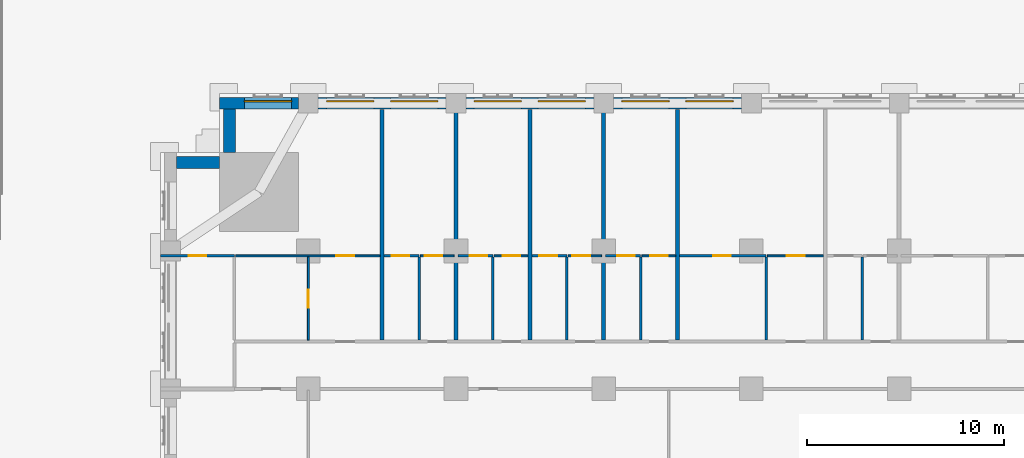
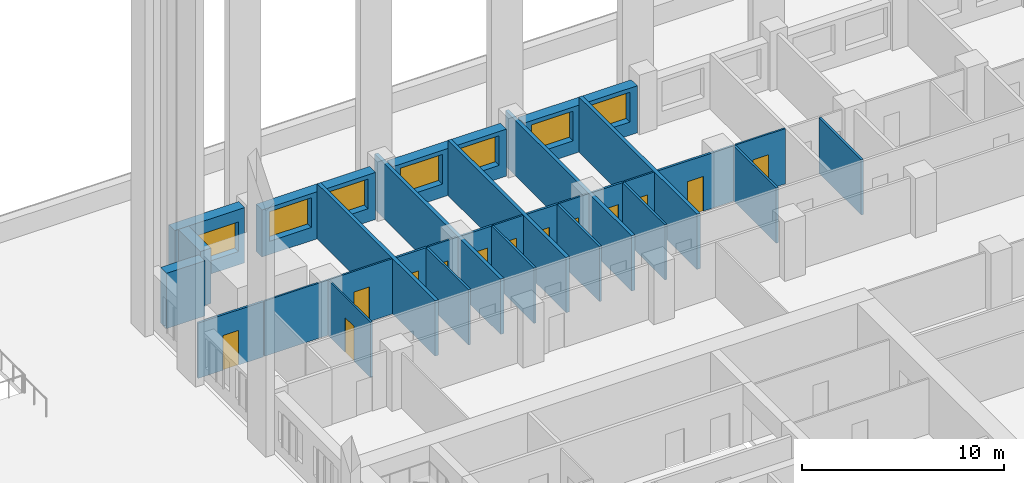
# One storey, part 19 of 27: 30 walls, 13 doors, 7 windows, 20 openings.
"""IFC4 building model written with IfcOpenShell, lengths in metres."""

from ifc_helpers import new_model, si_unit, direction, frame, frame_2d, origin, place, context, subcontext, project, spatial, rectangle, extrude, material, layer, layer_set, type_object, element, fill, save


model = new_model("IFC4")

# Units and contexts
model_context = context("Model", 3, precision=1e-05, world=origin(), true_north=direction((0.0, 1.0)))
body_context = subcontext(model_context, "Body", "Model", "MODEL_VIEW")
ifc_project = project(units=[si_unit("LENGTHUNIT", "METRE"), si_unit("AREAUNIT", "SQUARE_METRE"), si_unit("VOLUMEUNIT", "CUBIC_METRE"), si_unit("PLANEANGLEUNIT", "RADIAN"), si_unit("MASSUNIT", "GRAM", prefix="KILO")], contexts=[model_context])

# Site, building, storey
site_placement = place(None, origin())
site = spatial("IfcSite", under=ifc_project, at=site_placement, CompositionType="ELEMENT")
building_placement = place(site_placement, origin())
building = spatial("IfcBuilding", under=site, at=building_placement, Name="Tamorin Gate", CompositionType="ELEMENT")
storey_placement = place(building_placement, frame((0.0, 0.0, 34.0)))
storey = spatial("IfcBuildingStorey", under=building, at=storey_placement, Name="L06", CompositionType="ELEMENT", Elevation=34.0)

# Wall, openings, windows
ifc_material_1 = material(Name="Precast concrete C40/50", Category="concrete")
ifc_layer_1 = layer(ifc_material_1, 0.60009765625)
ifc_layer_set_1 = layer_set([ifc_layer_1], Name="Precast concrete C40/50")
wall_type_1 = type_object("IfcWallType", Name="Board-marked concrete facade panel 600", PredefinedType="SOLIDWALL", material=ifc_layer_set_1)
wall_1_placement = place(storey_placement, frame((59.5, 104.5, 0.0), z_axis=(0.0, 0.0, 1.0), x_axis=(-1.0, 0.0, 0.0)))
wall_1 = element("IfcWall", 1, at=wall_1_placement, inside=storey, type_object=wall_type_1, Name="Facade panel", PredefinedType="SOLIDWALL", context=body_context, shape_type="SweptSolid", body=[
    extrude(rectangle(XDim=6.5, YDim=0.60009765625, at=frame_2d((3.25, 0.0))), origin(), (0.0, 0.0, 1.0), 2.85009765625),
])
opening_1_placement = place(wall_1_placement, frame((3.675048828125, 0.0, 0.800048828125)))
opening_1 = element("IfcOpeningElement", 2, at=opening_1_placement, cuts=wall_1, Name="Opening WN1", PredefinedType="OPENING", context=body_context, shape_type="SweptSolid", body=[
    extrude(rectangle(XDim=2.39990234375, YDim=1.800048828125, at=frame_2d((1.199951171875, 0.89990234375))), frame((0.0, 0.31005859375, 0.0), z_axis=(0.0, -1.0, 0.0), x_axis=(1.0, 0.0, 0.0)), (0.0, 0.0, 1.0), 0.6201171875),
])
opening_2_placement = place(wall_1_placement, frame((0.425048828125, 0.0, 0.800048828125)))
opening_2 = element("IfcOpeningElement", 3, at=opening_2_placement, cuts=wall_1, Name="Opening WN1", PredefinedType="OPENING", context=body_context, shape_type="SweptSolid", body=[
    extrude(rectangle(XDim=2.39990234375, YDim=1.800048828125, at=frame_2d((1.199951171875, 0.89990234375))), frame((0.0, 0.31005859375, 0.0), z_axis=(0.0, -1.0, 0.0), x_axis=(1.0, 0.0, 0.0)), (0.0, 0.0, 1.0), 0.6201171875),
])
ifc_material_2 = material(Name="Clear glass in aluminium frame", Category="aluminium")
window_type = type_object("IfcWindowType", Name="Deep-set window 2400x1800", PartitioningType="SINGLE_PANEL", PredefinedType="WINDOW", material=ifc_material_2)
window_1_placement = place(opening_1_placement, origin())
window_1 = element("IfcWindow", 4, at=window_1_placement, inside=storey, type_object=window_type, Name="Deep-set window", OverallHeight=1.800048828125, OverallWidth=2.39990234375, PartitioningType="SINGLE_PANEL", PredefinedType="WINDOW", context=body_context, shape_type="SweptSolid", body=[
    extrude(rectangle(XDim=2.39990234375, YDim=1.800048828125, at=frame_2d((1.199951171875, 0.89990234375))), frame((0.0, -0.070068359375, 0.0), z_axis=(0.0, -1.0, 0.0), x_axis=(1.0, 0.0, 0.0)), (0.0, 0.0, 1.0), 0.06005859375),
])
fill(opening_1, window_1)
window_2_placement = place(opening_2_placement, origin())
window_2 = element("IfcWindow", 5, at=window_2_placement, inside=storey, type_object=window_type, Name="Deep-set window", OverallHeight=1.800048828125, OverallWidth=2.39990234375, PartitioningType="SINGLE_PANEL", PredefinedType="WINDOW", context=body_context, shape_type="SweptSolid", body=[
    extrude(rectangle(XDim=2.39990234375, YDim=1.800048828125, at=frame_2d((1.199951171875, 0.89990234375))), frame((0.0, -0.070068359375, 0.0), z_axis=(0.0, -1.0, 0.0), x_axis=(1.0, 0.0, 0.0)), (0.0, 0.0, 1.0), 0.06005859375),
])
fill(opening_2, window_2)

wall_2_placement = place(storey_placement, frame((52.0, 104.5, 0.0), z_axis=(0.0, 0.0, 1.0), x_axis=(-1.0, 0.0, 0.0)))
wall_2 = element("IfcWall", 6, at=wall_2_placement, inside=storey, type_object=wall_type_1, Name="Facade panel", PredefinedType="SOLIDWALL", context=body_context, shape_type="SweptSolid", body=[
    extrude(rectangle(XDim=6.5, YDim=0.60009765625, at=frame_2d((3.25, 0.0))), origin(), (0.0, 0.0, 1.0), 2.85009765625),
])
opening_3_placement = place(wall_2_placement, frame((3.675048828125, 0.0, 0.800048828125)))
opening_3 = element("IfcOpeningElement", 7, at=opening_3_placement, cuts=wall_2, Name="Opening WN1", PredefinedType="OPENING", context=body_context, shape_type="SweptSolid", body=[
    extrude(rectangle(XDim=2.39990234375, YDim=1.800048828125, at=frame_2d((1.199951171875, 0.89990234375))), frame((0.0, 0.31005859375, 0.0), z_axis=(0.0, -1.0, 0.0), x_axis=(1.0, 0.0, 0.0)), (0.0, 0.0, 1.0), 0.6201171875),
])
opening_4_placement = place(wall_2_placement, frame((0.425048828125, 0.0, 0.800048828125)))
opening_4 = element("IfcOpeningElement", 8, at=opening_4_placement, cuts=wall_2, Name="Opening WN1", PredefinedType="OPENING", context=body_context, shape_type="SweptSolid", body=[
    extrude(rectangle(XDim=2.39990234375, YDim=1.800048828125, at=frame_2d((1.199951171875, 0.89990234375))), frame((0.0, 0.31005859375, 0.0), z_axis=(0.0, -1.0, 0.0), x_axis=(1.0, 0.0, 0.0)), (0.0, 0.0, 1.0), 0.6201171875),
])
window_3_placement = place(opening_3_placement, origin())
window_3 = element("IfcWindow", 9, at=window_3_placement, inside=storey, type_object=window_type, Name="Deep-set window", OverallHeight=1.800048828125, OverallWidth=2.39990234375, PartitioningType="SINGLE_PANEL", PredefinedType="WINDOW", context=body_context, shape_type="SweptSolid", body=[
    extrude(rectangle(XDim=2.39990234375, YDim=1.800048828125, at=frame_2d((1.199951171875, 0.89990234375))), frame((0.0, -0.070068359375, 0.0), z_axis=(0.0, -1.0, 0.0), x_axis=(1.0, 0.0, 0.0)), (0.0, 0.0, 1.0), 0.06005859375),
])
fill(opening_3, window_3)
window_4_placement = place(opening_4_placement, origin())
window_4 = element("IfcWindow", 10, at=window_4_placement, inside=storey, type_object=window_type, Name="Deep-set window", OverallHeight=1.800048828125, OverallWidth=2.39990234375, PartitioningType="SINGLE_PANEL", PredefinedType="WINDOW", context=body_context, shape_type="SweptSolid", body=[
    extrude(rectangle(XDim=2.39990234375, YDim=1.800048828125, at=frame_2d((1.199951171875, 0.89990234375))), frame((0.0, -0.070068359375, 0.0), z_axis=(0.0, -1.0, 0.0), x_axis=(1.0, 0.0, 0.0)), (0.0, 0.0, 1.0), 0.06005859375),
])
fill(opening_4, window_4)

wall_3_placement = place(storey_placement, frame((44.5, 104.5, 0.0), z_axis=(0.0, 0.0, 1.0), x_axis=(-1.0, 0.0, 0.0)))
wall_3 = element("IfcWall", 11, at=wall_3_placement, inside=storey, type_object=wall_type_1, Name="Facade panel", PredefinedType="SOLIDWALL", context=body_context, shape_type="SweptSolid", body=[
    extrude(rectangle(XDim=6.5, YDim=0.60009765625, at=frame_2d((3.25, 0.0))), origin(), (0.0, 0.0, 1.0), 2.85009765625),
])
opening_5_placement = place(wall_3_placement, frame((3.675048828125, 0.0, 0.800048828125)))
opening_5 = element("IfcOpeningElement", 12, at=opening_5_placement, cuts=wall_3, Name="Opening WN1", PredefinedType="OPENING", context=body_context, shape_type="SweptSolid", body=[
    extrude(rectangle(XDim=2.39990234375, YDim=1.800048828125, at=frame_2d((1.199951171875, 0.89990234375))), frame((0.0, 0.31005859375, 0.0), z_axis=(0.0, -1.0, 0.0), x_axis=(1.0, 0.0, 0.0)), (0.0, 0.0, 1.0), 0.6201171875),
])
opening_6_placement = place(wall_3_placement, frame((0.425048828125, 0.0, 0.800048828125)))
opening_6 = element("IfcOpeningElement", 13, at=opening_6_placement, cuts=wall_3, Name="Opening WN1", PredefinedType="OPENING", context=body_context, shape_type="SweptSolid", body=[
    extrude(rectangle(XDim=2.39990234375, YDim=1.800048828125, at=frame_2d((1.199951171875, 0.89990234375))), frame((0.0, 0.31005859375, 0.0), z_axis=(0.0, -1.0, 0.0), x_axis=(1.0, 0.0, 0.0)), (0.0, 0.0, 1.0), 0.6201171875),
])
window_5_placement = place(opening_5_placement, origin())
window_5 = element("IfcWindow", 14, at=window_5_placement, inside=storey, type_object=window_type, Name="Deep-set window", OverallHeight=1.800048828125, OverallWidth=2.39990234375, PartitioningType="SINGLE_PANEL", PredefinedType="WINDOW", context=body_context, shape_type="SweptSolid", body=[
    extrude(rectangle(XDim=2.39990234375, YDim=1.800048828125, at=frame_2d((1.199951171875, 0.89990234375))), frame((0.0, -0.070068359375, 0.0), z_axis=(0.0, -1.0, 0.0), x_axis=(1.0, 0.0, 0.0)), (0.0, 0.0, 1.0), 0.06005859375),
])
fill(opening_5, window_5)
window_6_placement = place(opening_6_placement, origin())
window_6 = element("IfcWindow", 15, at=window_6_placement, inside=storey, type_object=window_type, Name="Deep-set window", OverallHeight=1.800048828125, OverallWidth=2.39990234375, PartitioningType="SINGLE_PANEL", PredefinedType="WINDOW", context=body_context, shape_type="SweptSolid", body=[
    extrude(rectangle(XDim=2.39990234375, YDim=1.800048828125, at=frame_2d((1.199951171875, 0.89990234375))), frame((0.0, -0.070068359375, 0.0), z_axis=(0.0, -1.0, 0.0), x_axis=(1.0, 0.0, 0.0)), (0.0, 0.0, 1.0), 0.06005859375),
])
fill(opening_6, window_6)

# Wall, opening, window
wall_4_placement = place(storey_placement, frame((37.0, 104.5, 0.0), z_axis=(0.0, 0.0, 1.0), x_axis=(-1.0, 0.0, 0.0)))
wall_4 = element("IfcWall", 16, at=wall_4_placement, inside=storey, type_object=wall_type_1, Name="Facade panel", PredefinedType="SOLIDWALL", context=body_context, shape_type="SweptSolid", body=[
    extrude(rectangle(XDim=4.0, YDim=0.60009765625, at=frame_2d((2.0, 0.0))), origin(), (0.0, 0.0, 1.0), 3.35009765625),
])
opening_7_placement = place(wall_4_placement, frame((0.35009765625, 0.0, 0.800048828125)))
opening_7 = element("IfcOpeningElement", 17, at=opening_7_placement, cuts=wall_4, Name="Opening WN1", PredefinedType="OPENING", context=body_context, shape_type="SweptSolid", body=[
    extrude(rectangle(XDim=2.39990234375, YDim=1.800048828125, at=frame_2d((1.199951171875, 0.89990234375))), frame((0.0, 0.31005859375, 0.0), z_axis=(0.0, -1.0, 0.0), x_axis=(1.0, 0.0, 0.0)), (0.0, 0.0, 1.0), 0.6201171875),
])
window_7_placement = place(opening_7_placement, origin())
window_7 = element("IfcWindow", 18, at=window_7_placement, inside=storey, type_object=window_type, Name="Deep-set window", OverallHeight=1.800048828125, OverallWidth=2.39990234375, PartitioningType="SINGLE_PANEL", PredefinedType="WINDOW", context=body_context, shape_type="SweptSolid", body=[
    extrude(rectangle(XDim=2.39990234375, YDim=1.800048828125, at=frame_2d((1.199951171875, 0.89990234375))), frame((0.0, -0.070068359375, 0.0), z_axis=(0.0, -1.0, 0.0), x_axis=(1.0, 0.0, 0.0)), (0.0, 0.0, 1.0), 0.06005859375),
])
fill(opening_7, window_7)

# Walls
for number, where, z_axis, x_axis, name in (
    (19, (33.5, 104.199951171875, 0.0), (0.0, 0.0, 1.0), (0.0, -1.0, 0.0), "Facade panel"),
    (20, (33.0, 101.5, 0.0), (0.0, 0.0, 1.0), (-1.0, 0.0, 0.0), "Facade panel"),
):
    element("IfcWall", number, at=place(storey_placement, frame(where, z_axis=z_axis, x_axis=x_axis)), inside=storey, type_object=wall_type_1, Name=name, PredefinedType="SOLIDWALL", context=body_context, shape_type="SweptSolid", body=[
        extrude(rectangle(XDim=2.199951171875, YDim=0.60009765625, at=frame_2d((1.10009765625, 0.0))), origin(), (0.0, 0.0, 1.0), 3.35009765625),
    ])
ifc_material_3 = material(Name="Gypsum board partition")
ifc_layer_2 = layer(ifc_material_3, 0.199951171875)
ifc_layer_set_2 = layer_set([ifc_layer_2], Name="Demising wall 200")
wall_type_2 = type_object("IfcWallType", Name="Demising wall 200", PredefinedType="PARTITIONING", material=ifc_layer_set_2)
wall_5_placement = place(storey_placement, frame((41.25, 92.47509765625, 0.0), z_axis=(0.0, 0.0, 1.0), x_axis=(0.0, 1.0, 0.0)))
element("IfcWall", 21, at=wall_5_placement, inside=storey, type_object=wall_type_2, Name="Demising wall 200", PredefinedType="PARTITIONING", context=body_context, shape_type="SweptSolid", body=[
    extrude(rectangle(XDim=11.71484375, YDim=0.199951171875, at=frame_2d((5.857421875, 0.0))), origin(), (0.0, 0.0, 1.0), 3.35009765625),
])
wall_6_placement = place(storey_placement, frame((45.0, 92.47509765625, 0.0), z_axis=(0.0, 0.0, 1.0), x_axis=(0.0, 1.0, 0.0)))
element("IfcWall", 22, at=wall_6_placement, inside=storey, type_object=wall_type_2, Name="Demising wall 200", PredefinedType="PARTITIONING", context=body_context, shape_type="SweptSolid", body=[
    extrude(rectangle(XDim=12.52490234375, YDim=0.199951171875, at=frame_2d((6.262451171875, 0.0))), origin(), (0.0, 0.0, 1.0), 3.35009765625),
])
wall_7_placement = place(storey_placement, frame((48.75, 92.47509765625, 0.0), z_axis=(0.0, 0.0, 1.0), x_axis=(0.0, 1.0, 0.0)))
element("IfcWall", 23, at=wall_7_placement, inside=storey, type_object=wall_type_2, Name="Demising wall 200", PredefinedType="PARTITIONING", context=body_context, shape_type="SweptSolid", body=[
    extrude(rectangle(XDim=11.71484375, YDim=0.199951171875, at=frame_2d((5.857421875, 0.0))), origin(), (0.0, 0.0, 1.0), 3.35009765625),
])
wall_8_placement = place(storey_placement, frame((52.5, 92.47509765625, 0.0), z_axis=(0.0, 0.0, 1.0), x_axis=(0.0, 1.0, 0.0)))
element("IfcWall", 24, at=wall_8_placement, inside=storey, type_object=wall_type_2, Name="Demising wall 200", PredefinedType="PARTITIONING", context=body_context, shape_type="SweptSolid", body=[
    extrude(rectangle(XDim=12.52490234375, YDim=0.199951171875, at=frame_2d((6.262451171875, 0.0))), origin(), (0.0, 0.0, 1.0), 3.35009765625),
])
wall_9_placement = place(storey_placement, frame((56.25, 92.47509765625, 0.0), z_axis=(0.0, 0.0, 1.0), x_axis=(0.0, 1.0, 0.0)))
element("IfcWall", 25, at=wall_9_placement, inside=storey, type_object=wall_type_2, Name="Demising wall 200", PredefinedType="PARTITIONING", context=body_context, shape_type="SweptSolid", body=[
    extrude(rectangle(XDim=11.71484375, YDim=0.199951171875, at=frame_2d((5.857421875, 0.0))), origin(), (0.0, 0.0, 1.0), 3.35009765625),
])

# Wall, opening, door
ifc_layer_3 = layer(ifc_material_3, 0.10009765625)
ifc_layer_set_3 = layer_set([ifc_layer_3], Name="Room partition 100")
wall_type_3 = type_object("IfcWallType", Name="Room partition 100", PredefinedType="PARTITIONING", material=ifc_layer_set_3)
wall_10_placement = place(storey_placement, frame((33.8125, 96.75, 0.0), z_axis=(0.0, 0.0, 1.0), x_axis=(1.0, 0.0, 0.0)))
wall_10 = element("IfcWall", 26, at=wall_10_placement, inside=storey, type_object=wall_type_3, Name="Room partition 100", PredefinedType="PARTITIONING", context=body_context, shape_type="SweptSolid", body=[
    extrude(rectangle(XDim=7.33740234375, YDim=0.10009765625, at=frame_2d((3.668701171875, 0.0))), origin(), (0.0, 0.0, 1.0), 3.35009765625),
])
opening_8_placement = place(wall_10_placement, frame((5.112548828125, 0.0, 0.0)))
opening_8 = element("IfcOpeningElement", 27, at=opening_8_placement, cuts=wall_10, Name="Opening DH1029", PredefinedType="OPENING", context=body_context, shape_type="SweptSolid", body=[
    extrude(rectangle(XDim=0.89990234375, YDim=2.10009765625, at=frame_2d((0.449951171875, 1.050048828125))), frame((0.0, 0.06005859375, 0.0), z_axis=(0.0, -1.0, 0.0), x_axis=(1.0, 0.0, 0.0)), (0.0, 0.0, 1.0), 0.1201171875),
])
ifc_material_4 = material(Name="Timber door leaf", Category="wood")
door_type = type_object("IfcDoorType", Name="Door 900 x 2100", OperationType="NOTDEFINED", PredefinedType="DOOR", material=ifc_material_4)
door_1_placement = place(opening_8_placement, origin())
door_1 = element("IfcDoor", 28, at=door_1_placement, inside=storey, type_object=door_type, Name="Door DH1029", OperationType="SINGLE_SWING_RIGHT", OverallHeight=2.10009765625, OverallWidth=0.89990234375, PredefinedType="DOOR", context=body_context, shape_type="SweptSolid", body=[
    extrude(rectangle(XDim=0.89990234375, YDim=2.10009765625, at=frame_2d((0.449951171875, 1.050048828125))), frame((0.0, 0.02490234375, 0.0), z_axis=(0.0, -1.0, 0.0), x_axis=(1.0, 0.0, 0.0)), (0.0, 0.0, 1.0), 0.050048828125),
])
fill(opening_8, door_1)

wall_11_placement = place(storey_placement, frame((43.1875, 96.75, 0.0), z_axis=(0.0, 0.0, 1.0), x_axis=(1.0, 0.0, 0.0)))
wall_11 = element("IfcWall", 29, at=wall_11_placement, inside=storey, type_object=wall_type_3, Name="Room partition 100", PredefinedType="PARTITIONING", context=body_context, shape_type="SweptSolid", body=[
    extrude(rectangle(XDim=1.71240234375, YDim=0.10009765625, at=frame_2d((0.856201171875, 0.0))), origin(), (0.0, 0.0, 1.0), 3.35009765625),
])
opening_9_placement = place(wall_11_placement, frame((0.22509765625, 0.0, 0.0)))
opening_9 = element("IfcOpeningElement", 30, at=opening_9_placement, cuts=wall_11, Name="Opening DH1032", PredefinedType="OPENING", context=body_context, shape_type="SweptSolid", body=[
    extrude(rectangle(XDim=0.89990234375, YDim=2.10009765625, at=frame_2d((0.449951171875, 1.050048828125))), frame((0.0, 0.06005859375, 0.0), z_axis=(0.0, -1.0, 0.0), x_axis=(1.0, 0.0, 0.0)), (0.0, 0.0, 1.0), 0.1201171875),
])
door_2_placement = place(opening_9_placement, origin())
door_2 = element("IfcDoor", 31, at=door_2_placement, inside=storey, type_object=door_type, Name="Door DH1032", OperationType="SINGLE_SWING_RIGHT", OverallHeight=2.10009765625, OverallWidth=0.89990234375, PredefinedType="DOOR", context=body_context, shape_type="SweptSolid", body=[
    extrude(rectangle(XDim=0.89990234375, YDim=2.10009765625, at=frame_2d((0.449951171875, 1.050048828125))), frame((0.0, 0.02490234375, 0.0), z_axis=(0.0, -1.0, 0.0), x_axis=(1.0, 0.0, 0.0)), (0.0, 0.0, 1.0), 0.050048828125),
])
fill(opening_9, door_2)

wall_12_placement = place(storey_placement, frame((46.9375, 96.75, 0.0), z_axis=(0.0, 0.0, 1.0), x_axis=(1.0, 0.0, 0.0)))
wall_12 = element("IfcWall", 32, at=wall_12_placement, inside=storey, type_object=wall_type_3, Name="Room partition 100", PredefinedType="PARTITIONING", context=body_context, shape_type="SweptSolid", body=[
    extrude(rectangle(XDim=1.71240234375, YDim=0.10009765625, at=frame_2d((0.856201171875, 0.0))), origin(), (0.0, 0.0, 1.0), 3.35009765625),
])
opening_10_placement = place(wall_12_placement, frame((0.425048828125, 0.0, 0.0)))
opening_10 = element("IfcOpeningElement", 33, at=opening_10_placement, cuts=wall_12, Name="Opening DH1035", PredefinedType="OPENING", context=body_context, shape_type="SweptSolid", body=[
    extrude(rectangle(XDim=0.89990234375, YDim=2.10009765625, at=frame_2d((0.449951171875, 1.050048828125))), frame((0.0, 0.06005859375, 0.0), z_axis=(0.0, -1.0, 0.0), x_axis=(1.0, 0.0, 0.0)), (0.0, 0.0, 1.0), 0.1201171875),
])
door_3_placement = place(opening_10_placement, origin())
door_3 = element("IfcDoor", 34, at=door_3_placement, inside=storey, type_object=door_type, Name="Door DH1035", OperationType="SINGLE_SWING_RIGHT", OverallHeight=2.10009765625, OverallWidth=0.89990234375, PredefinedType="DOOR", context=body_context, shape_type="SweptSolid", body=[
    extrude(rectangle(XDim=0.89990234375, YDim=2.10009765625, at=frame_2d((0.449951171875, 1.050048828125))), frame((0.0, 0.02490234375, 0.0), z_axis=(0.0, -1.0, 0.0), x_axis=(1.0, 0.0, 0.0)), (0.0, 0.0, 1.0), 0.050048828125),
])
fill(opening_10, door_3)

wall_13_placement = place(storey_placement, frame((50.6875, 96.75, 0.0), z_axis=(0.0, 0.0, 1.0), x_axis=(1.0, 0.0, 0.0)))
wall_13 = element("IfcWall", 35, at=wall_13_placement, inside=storey, type_object=wall_type_3, Name="Room partition 100", PredefinedType="PARTITIONING", context=body_context, shape_type="SweptSolid", body=[
    extrude(rectangle(XDim=1.71240234375, YDim=0.10009765625, at=frame_2d((0.856201171875, 0.0))), origin(), (0.0, 0.0, 1.0), 3.35009765625),
])
opening_11_placement = place(wall_13_placement, frame((0.22509765625, 0.0, 0.0)))
opening_11 = element("IfcOpeningElement", 36, at=opening_11_placement, cuts=wall_13, Name="Opening DH1038", PredefinedType="OPENING", context=body_context, shape_type="SweptSolid", body=[
    extrude(rectangle(XDim=0.89990234375, YDim=2.10009765625, at=frame_2d((0.449951171875, 1.050048828125))), frame((0.0, 0.06005859375, 0.0), z_axis=(0.0, -1.0, 0.0), x_axis=(1.0, 0.0, 0.0)), (0.0, 0.0, 1.0), 0.1201171875),
])
door_4_placement = place(opening_11_placement, origin())
door_4 = element("IfcDoor", 37, at=door_4_placement, inside=storey, type_object=door_type, Name="Door DH1038", OperationType="SINGLE_SWING_RIGHT", OverallHeight=2.10009765625, OverallWidth=0.89990234375, PredefinedType="DOOR", context=body_context, shape_type="SweptSolid", body=[
    extrude(rectangle(XDim=0.89990234375, YDim=2.10009765625, at=frame_2d((0.449951171875, 1.050048828125))), frame((0.0, 0.02490234375, 0.0), z_axis=(0.0, -1.0, 0.0), x_axis=(1.0, 0.0, 0.0)), (0.0, 0.0, 1.0), 0.050048828125),
])
fill(opening_11, door_4)

wall_14_placement = place(storey_placement, frame((54.4375, 96.75, 0.0), z_axis=(0.0, 0.0, 1.0), x_axis=(1.0, 0.0, 0.0)))
wall_14 = element("IfcWall", 38, at=wall_14_placement, inside=storey, type_object=wall_type_3, Name="Room partition 100", PredefinedType="PARTITIONING", context=body_context, shape_type="SweptSolid", body=[
    extrude(rectangle(XDim=1.71240234375, YDim=0.10009765625, at=frame_2d((0.856201171875, 0.0))), origin(), (0.0, 0.0, 1.0), 3.35009765625),
])
opening_12_placement = place(wall_14_placement, frame((0.425048828125, 0.0, 0.0)))
opening_12 = element("IfcOpeningElement", 39, at=opening_12_placement, cuts=wall_14, Name="Opening DH1041", PredefinedType="OPENING", context=body_context, shape_type="SweptSolid", body=[
    extrude(rectangle(XDim=0.89990234375, YDim=2.10009765625, at=frame_2d((0.449951171875, 1.050048828125))), frame((0.0, 0.06005859375, 0.0), z_axis=(0.0, -1.0, 0.0), x_axis=(1.0, 0.0, 0.0)), (0.0, 0.0, 1.0), 0.1201171875),
])
door_5_placement = place(opening_12_placement, origin())
door_5 = element("IfcDoor", 40, at=door_5_placement, inside=storey, type_object=door_type, Name="Door DH1041", OperationType="SINGLE_SWING_RIGHT", OverallHeight=2.10009765625, OverallWidth=0.89990234375, PredefinedType="DOOR", context=body_context, shape_type="SweptSolid", body=[
    extrude(rectangle(XDim=0.89990234375, YDim=2.10009765625, at=frame_2d((0.449951171875, 1.050048828125))), frame((0.0, 0.02490234375, 0.0), z_axis=(0.0, -1.0, 0.0), x_axis=(1.0, 0.0, 0.0)), (0.0, 0.0, 1.0), 0.050048828125),
])
fill(opening_12, door_5)

wall_15_placement = place(storey_placement, frame((60.8125, 96.75, 0.0), z_axis=(0.0, 0.0, 1.0), x_axis=(1.0, 0.0, 0.0)))
wall_15 = element("IfcWall", 41, at=wall_15_placement, inside=storey, type_object=wall_type_3, Name="Room partition 100", PredefinedType="PARTITIONING", context=body_context, shape_type="SweptSolid", body=[
    extrude(rectangle(XDim=2.83740234375, YDim=0.10009765625, at=frame_2d((1.418701171875, 0.0))), origin(), (0.0, 0.0, 1.0), 3.35009765625),
])
opening_13_placement = place(wall_15_placement, frame((0.987548828125, 0.0, 0.0)))
opening_13 = element("IfcOpeningElement", 42, at=opening_13_placement, cuts=wall_15, Name="Opening DH1044", PredefinedType="OPENING", context=body_context, shape_type="SweptSolid", body=[
    extrude(rectangle(XDim=0.89990234375, YDim=2.10009765625, at=frame_2d((0.449951171875, 1.050048828125))), frame((0.0, 0.06005859375, 0.0), z_axis=(0.0, -1.0, 0.0), x_axis=(1.0, 0.0, 0.0)), (0.0, 0.0, 1.0), 0.1201171875),
])
door_6_placement = place(opening_13_placement, origin())
door_6 = element("IfcDoor", 43, at=door_6_placement, inside=storey, type_object=door_type, Name="Door DH1044", OperationType="SINGLE_SWING_RIGHT", OverallHeight=2.10009765625, OverallWidth=0.89990234375, PredefinedType="DOOR", context=body_context, shape_type="SweptSolid", body=[
    extrude(rectangle(XDim=0.89990234375, YDim=2.10009765625, at=frame_2d((0.449951171875, 1.050048828125))), frame((0.0, 0.02490234375, 0.0), z_axis=(0.0, -1.0, 0.0), x_axis=(1.0, 0.0, 0.0)), (0.0, 0.0, 1.0), 0.050048828125),
])
fill(opening_13, door_6)

wall_16_placement = place(storey_placement, frame((37.5, 92.47509765625, 0.0), z_axis=(0.0, 0.0, 1.0), x_axis=(0.0, 1.0, 0.0)))
wall_16 = element("IfcWall", 44, at=wall_16_placement, inside=storey, type_object=wall_type_3, Name="Room partition 100", PredefinedType="PARTITIONING", context=body_context, shape_type="SweptSolid", body=[
    extrude(rectangle(XDim=4.224853515625, YDim=0.10009765625, at=frame_2d((2.1123046875, 0.0))), origin(), (0.0, 0.0, 1.0), 3.35009765625),
])
opening_14_placement = place(wall_16_placement, frame((1.64990234375, 0.0, 0.0)))
opening_14 = element("IfcOpeningElement", 45, at=opening_14_placement, cuts=wall_16, Name="Opening DH1027", PredefinedType="OPENING", context=body_context, shape_type="SweptSolid", body=[
    extrude(rectangle(XDim=0.89990234375, YDim=2.10009765625, at=frame_2d((0.449951171875, 1.050048828125))), frame((0.0, 0.06005859375, 0.0), z_axis=(0.0, -1.0, 0.0), x_axis=(1.0, 0.0, 0.0)), (0.0, 0.0, 1.0), 0.1201171875),
])
door_7_placement = place(opening_14_placement, origin())
door_7 = element("IfcDoor", 46, at=door_7_placement, inside=storey, type_object=door_type, Name="Door DH1027", OperationType="SINGLE_SWING_RIGHT", OverallHeight=2.10009765625, OverallWidth=0.89990234375, PredefinedType="DOOR", context=body_context, shape_type="SweptSolid", body=[
    extrude(rectangle(XDim=0.89990234375, YDim=2.10009765625, at=frame_2d((0.449951171875, 1.050048828125))), frame((0.0, 0.02490234375, 0.0), z_axis=(0.0, -1.0, 0.0), x_axis=(1.0, 0.0, 0.0)), (0.0, 0.0, 1.0), 0.050048828125),
])
fill(opening_14, door_7)

ifc_layer_4 = layer(ifc_material_3, 0.125)
ifc_layer_set_4 = layer_set([ifc_layer_4], Name="Wet wall 125")
wall_type_4 = type_object("IfcWallType", Name="Wet wall 125", PredefinedType="PARTITIONING", material=ifc_layer_set_4)
wall_17_placement = place(storey_placement, frame((30.0, 96.75, 0.0), z_axis=(0.0, 0.0, 1.0), x_axis=(1.0, 0.0, 0.0)))
wall_17 = element("IfcWall", 47, at=wall_17_placement, inside=storey, type_object=wall_type_4, Name="Wet wall 125", PredefinedType="PARTITIONING", context=body_context, shape_type="SweptSolid", body=[
    extrude(rectangle(XDim=3.75, YDim=0.125, at=frame_2d((1.875, 0.0))), origin(), (0.0, 0.0, 1.0), 3.35009765625),
])
opening_15_placement = place(wall_17_placement, frame((1.425048828125, 0.0, 0.0)))
opening_15 = element("IfcOpeningElement", 48, at=opening_15_placement, cuts=wall_17, Name="Opening DH1026", PredefinedType="OPENING", context=body_context, shape_type="SweptSolid", body=[
    extrude(rectangle(XDim=0.89990234375, YDim=2.10009765625, at=frame_2d((0.449951171875, 1.050048828125))), frame((0.0, 0.072509765625, 0.0), z_axis=(0.0, -1.0, 0.0), x_axis=(1.0, 0.0, 0.0)), (0.0, 0.0, 1.0), 0.14501953125),
])
door_8_placement = place(opening_15_placement, origin())
door_8 = element("IfcDoor", 49, at=door_8_placement, inside=storey, type_object=door_type, Name="Door DH1026", OperationType="SINGLE_SWING_RIGHT", OverallHeight=2.10009765625, OverallWidth=0.89990234375, PredefinedType="DOOR", context=body_context, shape_type="SweptSolid", body=[
    extrude(rectangle(XDim=0.89990234375, YDim=2.10009765625, at=frame_2d((0.449951171875, 1.050048828125))), frame((0.0, 0.02490234375, 0.0), z_axis=(0.0, -1.0, 0.0), x_axis=(1.0, 0.0, 0.0)), (0.0, 0.0, 1.0), 0.050048828125),
])
fill(opening_15, door_8)

wall_18_placement = place(storey_placement, frame((41.35009765625, 96.75, 0.0), z_axis=(0.0, 0.0, 1.0), x_axis=(1.0, 0.0, 0.0)))
wall_18 = element("IfcWall", 50, at=wall_18_placement, inside=storey, type_object=wall_type_4, Name="Wet wall 125", PredefinedType="PARTITIONING", context=body_context, shape_type="SweptSolid", body=[
    extrude(rectangle(XDim=1.77490234375, YDim=0.125, at=frame_2d((0.887451171875, 0.0))), origin(), (0.0, 0.0, 1.0), 3.35009765625),
])
opening_16_placement = place(wall_18_placement, frame((0.387451171875, 0.0, 0.0)))
opening_16 = element("IfcOpeningElement", 51, at=opening_16_placement, cuts=wall_18, Name="Opening DH1030", PredefinedType="OPENING", context=body_context, shape_type="SweptSolid", body=[
    extrude(rectangle(XDim=0.89990234375, YDim=2.10009765625, at=frame_2d((0.449951171875, 1.050048828125))), frame((0.0, 0.072509765625, 0.0), z_axis=(0.0, -1.0, 0.0), x_axis=(1.0, 0.0, 0.0)), (0.0, 0.0, 1.0), 0.14501953125),
])
door_9_placement = place(opening_16_placement, origin())
door_9 = element("IfcDoor", 52, at=door_9_placement, inside=storey, type_object=door_type, Name="Door DH1030", OperationType="SINGLE_SWING_RIGHT", OverallHeight=2.10009765625, OverallWidth=0.89990234375, PredefinedType="DOOR", context=body_context, shape_type="SweptSolid", body=[
    extrude(rectangle(XDim=0.89990234375, YDim=2.10009765625, at=frame_2d((0.449951171875, 1.050048828125))), frame((0.0, 0.02490234375, 0.0), z_axis=(0.0, -1.0, 0.0), x_axis=(1.0, 0.0, 0.0)), (0.0, 0.0, 1.0), 0.050048828125),
])
fill(opening_16, door_9)

wall_19_placement = place(storey_placement, frame((45.10009765625, 96.75, 0.0), z_axis=(0.0, 0.0, 1.0), x_axis=(1.0, 0.0, 0.0)))
wall_19 = element("IfcWall", 53, at=wall_19_placement, inside=storey, type_object=wall_type_4, Name="Wet wall 125", PredefinedType="PARTITIONING", context=body_context, shape_type="SweptSolid", body=[
    extrude(rectangle(XDim=1.77490234375, YDim=0.125, at=frame_2d((0.887451171875, 0.0))), origin(), (0.0, 0.0, 1.0), 3.35009765625),
])
opening_17_placement = place(wall_19_placement, frame((0.58740234375, 0.0, 0.0)))
opening_17 = element("IfcOpeningElement", 54, at=opening_17_placement, cuts=wall_19, Name="Opening DH1033", PredefinedType="OPENING", context=body_context, shape_type="SweptSolid", body=[
    extrude(rectangle(XDim=0.89990234375, YDim=2.10009765625, at=frame_2d((0.449951171875, 1.050048828125))), frame((0.0, 0.072509765625, 0.0), z_axis=(0.0, -1.0, 0.0), x_axis=(1.0, 0.0, 0.0)), (0.0, 0.0, 1.0), 0.14501953125),
])
door_10_placement = place(opening_17_placement, origin())
door_10 = element("IfcDoor", 55, at=door_10_placement, inside=storey, type_object=door_type, Name="Door DH1033", OperationType="SINGLE_SWING_LEFT", OverallHeight=2.10009765625, OverallWidth=0.89990234375, PredefinedType="DOOR", context=body_context, shape_type="SweptSolid", body=[
    extrude(rectangle(XDim=0.89990234375, YDim=2.10009765625, at=frame_2d((0.449951171875, 1.050048828125))), frame((0.0, 0.02490234375, 0.0), z_axis=(0.0, -1.0, 0.0), x_axis=(1.0, 0.0, 0.0)), (0.0, 0.0, 1.0), 0.050048828125),
])
fill(opening_17, door_10)

wall_20_placement = place(storey_placement, frame((48.85009765625, 96.75, 0.0), z_axis=(0.0, 0.0, 1.0), x_axis=(1.0, 0.0, 0.0)))
wall_20 = element("IfcWall", 56, at=wall_20_placement, inside=storey, type_object=wall_type_4, Name="Wet wall 125", PredefinedType="PARTITIONING", context=body_context, shape_type="SweptSolid", body=[
    extrude(rectangle(XDim=1.77490234375, YDim=0.125, at=frame_2d((0.887451171875, 0.0))), origin(), (0.0, 0.0, 1.0), 3.35009765625),
])
opening_18_placement = place(wall_20_placement, frame((0.387451171875, 0.0, 0.0)))
opening_18 = element("IfcOpeningElement", 57, at=opening_18_placement, cuts=wall_20, Name="Opening DH1036", PredefinedType="OPENING", context=body_context, shape_type="SweptSolid", body=[
    extrude(rectangle(XDim=0.89990234375, YDim=2.10009765625, at=frame_2d((0.449951171875, 1.050048828125))), frame((0.0, 0.072509765625, 0.0), z_axis=(0.0, -1.0, 0.0), x_axis=(1.0, 0.0, 0.0)), (0.0, 0.0, 1.0), 0.14501953125),
])
door_11_placement = place(opening_18_placement, origin())
door_11 = element("IfcDoor", 58, at=door_11_placement, inside=storey, type_object=door_type, Name="Door DH1036", OperationType="SINGLE_SWING_RIGHT", OverallHeight=2.10009765625, OverallWidth=0.89990234375, PredefinedType="DOOR", context=body_context, shape_type="SweptSolid", body=[
    extrude(rectangle(XDim=0.89990234375, YDim=2.10009765625, at=frame_2d((0.449951171875, 1.050048828125))), frame((0.0, 0.02490234375, 0.0), z_axis=(0.0, -1.0, 0.0), x_axis=(1.0, 0.0, 0.0)), (0.0, 0.0, 1.0), 0.050048828125),
])
fill(opening_18, door_11)

wall_21_placement = place(storey_placement, frame((52.60009765625, 96.75, 0.0), z_axis=(0.0, 0.0, 1.0), x_axis=(1.0, 0.0, 0.0)))
wall_21 = element("IfcWall", 59, at=wall_21_placement, inside=storey, type_object=wall_type_4, Name="Wet wall 125", PredefinedType="PARTITIONING", context=body_context, shape_type="SweptSolid", body=[
    extrude(rectangle(XDim=1.77490234375, YDim=0.125, at=frame_2d((0.887451171875, 0.0))), origin(), (0.0, 0.0, 1.0), 3.35009765625),
])
opening_19_placement = place(wall_21_placement, frame((0.58740234375, 0.0, 0.0)))
opening_19 = element("IfcOpeningElement", 60, at=opening_19_placement, cuts=wall_21, Name="Opening DH1039", PredefinedType="OPENING", context=body_context, shape_type="SweptSolid", body=[
    extrude(rectangle(XDim=0.89990234375, YDim=2.10009765625, at=frame_2d((0.449951171875, 1.050048828125))), frame((0.0, 0.072509765625, 0.0), z_axis=(0.0, -1.0, 0.0), x_axis=(1.0, 0.0, 0.0)), (0.0, 0.0, 1.0), 0.14501953125),
])
door_12_placement = place(opening_19_placement, origin())
door_12 = element("IfcDoor", 61, at=door_12_placement, inside=storey, type_object=door_type, Name="Door DH1039", OperationType="SINGLE_SWING_LEFT", OverallHeight=2.10009765625, OverallWidth=0.89990234375, PredefinedType="DOOR", context=body_context, shape_type="SweptSolid", body=[
    extrude(rectangle(XDim=0.89990234375, YDim=2.10009765625, at=frame_2d((0.449951171875, 1.050048828125))), frame((0.0, 0.02490234375, 0.0), z_axis=(0.0, -1.0, 0.0), x_axis=(1.0, 0.0, 0.0)), (0.0, 0.0, 1.0), 0.050048828125),
])
fill(opening_19, door_12)

wall_22_placement = place(storey_placement, frame((56.35009765625, 96.75, 0.0), z_axis=(0.0, 0.0, 1.0), x_axis=(1.0, 0.0, 0.0)))
wall_22 = element("IfcWall", 62, at=wall_22_placement, inside=storey, type_object=wall_type_4, Name="Wet wall 125", PredefinedType="PARTITIONING", context=body_context, shape_type="SweptSolid", body=[
    extrude(rectangle(XDim=4.39990234375, YDim=0.125, at=frame_2d((2.199951171875, 0.0))), origin(), (0.0, 0.0, 1.0), 3.35009765625),
])
opening_20_placement = place(wall_22_placement, frame((1.699951171875, 0.0, 0.0)))
opening_20 = element("IfcOpeningElement", 63, at=opening_20_placement, cuts=wall_22, Name="Opening DH1042", PredefinedType="OPENING", context=body_context, shape_type="SweptSolid", body=[
    extrude(rectangle(XDim=0.89990234375, YDim=2.10009765625, at=frame_2d((0.449951171875, 1.050048828125))), frame((0.0, 0.072509765625, 0.0), z_axis=(0.0, -1.0, 0.0), x_axis=(1.0, 0.0, 0.0)), (0.0, 0.0, 1.0), 0.14501953125),
])
door_13_placement = place(opening_20_placement, origin())
door_13 = element("IfcDoor", 64, at=door_13_placement, inside=storey, type_object=door_type, Name="Door DH1042", OperationType="SINGLE_SWING_RIGHT", OverallHeight=2.10009765625, OverallWidth=0.89990234375, PredefinedType="DOOR", context=body_context, shape_type="SweptSolid", body=[
    extrude(rectangle(XDim=0.89990234375, YDim=2.10009765625, at=frame_2d((0.449951171875, 1.050048828125))), frame((0.0, 0.02490234375, 0.0), z_axis=(0.0, -1.0, 0.0), x_axis=(1.0, 0.0, 0.0)), (0.0, 0.0, 1.0), 0.050048828125),
])
fill(opening_20, door_13)

# Walls
for number, where, z_axis, x_axis, name in (
    (65, (43.125, 92.47509765625, 0.0), (0.0, 0.0, 1.0), (0.0, 1.0, 0.0), "Wet wall 125"),
    (66, (46.875, 92.47509765625, 0.0), (0.0, 0.0, 1.0), (0.0, 1.0, 0.0), "Wet wall 125"),
    (67, (50.625, 92.47509765625, 0.0), (0.0, 0.0, 1.0), (0.0, 1.0, 0.0), "Wet wall 125"),
    (68, (54.375, 92.47509765625, 0.0), (0.0, 0.0, 1.0), (0.0, 1.0, 0.0), "Wet wall 125"),
    (69, (60.75, 92.47509765625, 0.0), (0.0, 0.0, 1.0), (0.0, 1.0, 0.0), "Wet wall 125"),
    (70, (65.625, 92.47509765625, 0.0), (0.0, 0.0, 1.0), (0.0, 1.0, 0.0), "Wet wall 125"),
):
    element("IfcWall", number, at=place(storey_placement, frame(where, z_axis=z_axis, x_axis=x_axis)), inside=storey, type_object=wall_type_4, Name=name, PredefinedType="PARTITIONING", context=body_context, shape_type="SweptSolid", body=[
        extrude(rectangle(XDim=4.21240234375, YDim=0.125, at=frame_2d((2.106201171875, 0.0))), origin(), (0.0, 0.0, 1.0), 3.35009765625),
    ])

save(model, "model.ifc")
